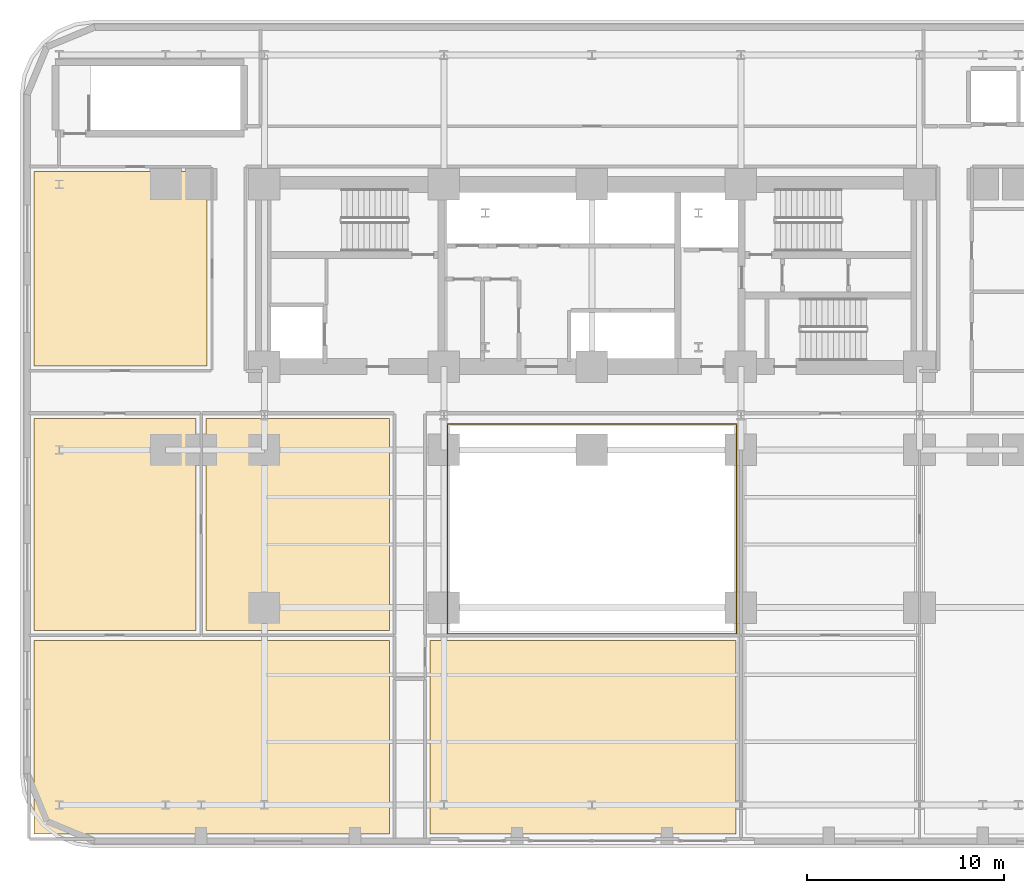
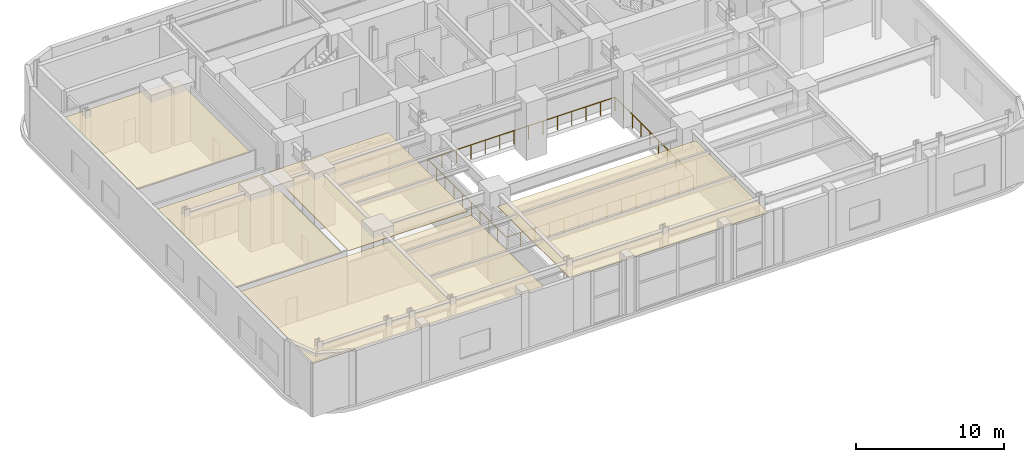
# One storey, part 10 of 15: 5 coverings, 1 railing.
"""IFC4 building model written with IfcOpenShell, lengths in metres."""

from ifc_helpers import new_model, si_unit, direction, frame, origin, origin_2d, place, context, subcontext, project, spatial, polyline, rectangle, outline, extrude, material, layer, layer_set, type_object, element, save


model = new_model("IFC4")

# Units and contexts
model_context = context("Model", 3, precision=1e-05, world=origin(), true_north=direction((0.0, 1.0)))
body_context = subcontext(model_context, "Body", "Model", "MODEL_VIEW")
ifc_project = project(units=[si_unit("LENGTHUNIT", "METRE"), si_unit("AREAUNIT", "SQUARE_METRE"), si_unit("VOLUMEUNIT", "CUBIC_METRE"), si_unit("PLANEANGLEUNIT", "RADIAN"), si_unit("MASSUNIT", "GRAM", prefix="KILO")], contexts=[model_context])

# Site, building, storey
site_placement = place(None, origin())
site = spatial("IfcSite", under=ifc_project, at=site_placement, CompositionType="ELEMENT")
building_placement = place(site_placement, origin())
building = spatial("IfcBuilding", under=site, at=building_placement, Name="Zarnavel Station Tower", CompositionType="ELEMENT")
storey_placement = place(building_placement, frame((0.0, 0.0, 24.199951171875)))
storey = spatial("IfcBuildingStorey", under=building, at=storey_placement, Name="L06", CompositionType="ELEMENT", Elevation=24.199951171875)

# Coverings
ifc_material_1 = material(Name="Perforated Gypsum and Mineral-Wool Acoustic Ceiling", Category="concrete")
ifc_layer = layer(ifc_material_1, 0.0400390625)
ifc_layer_set = layer_set([ifc_layer], Name="COV_CEIL_ACOUSTIC")
covering_type = type_object("IfcCoveringType", Name="COV_CEIL_ACOUSTIC", PredefinedType="CEILING", material=ifc_layer_set)
covering_1_placement = place(storey_placement, frame((0.0, 0.0, 4.16015625)))
element("IfcCovering", 1, at=covering_1_placement, inside=storey, type_object=covering_type, Name="L06 PNW Acoustic Ceiling", PredefinedType="CEILING", context=body_context, shape_type="SweptSolid", body=[
    extrude(outline(polyline([(0.530029296875, 27.85009765625), (9.300048828125, 27.85009765625), (9.300048828125, 37.699951171875), (0.530029296875, 37.699951171875), (0.530029296875, 27.85009765625)])), origin(), (0.0, 0.0, 1.0), 0.039794921875),
])
covering_2_placement = place(storey_placement, frame((0.0, 0.0, 4.16015625)))
element("IfcCovering", 2, at=covering_2_placement, inside=storey, type_object=covering_type, Name="L06 SPA Acoustic Ceiling", PredefinedType="CEILING", context=body_context, shape_type="SweptSolid", body=[
    extrude(outline(polyline([(0.530029296875, 4.1298828125), (18.550048828125, 4.1298828125), (18.550048828125, 13.949951171875), (0.530029296875, 13.949951171875), (0.530029296875, 4.1298828125)])), origin(), (0.0, 0.0, 1.0), 0.039794921875),
])
covering_3_placement = place(storey_placement, frame((0.0, 0.0, 4.16015625)))
element("IfcCovering", 3, at=covering_3_placement, inside=storey, type_object=covering_type, Name="L06 TRMT1 Acoustic Ceiling", PredefinedType="CEILING", context=body_context, shape_type="SweptSolid", body=[
    extrude(outline(polyline([(0.530029296875, 14.449951171875), (8.75, 14.449951171875), (8.75, 25.199951171875), (0.530029296875, 25.199951171875), (0.530029296875, 14.449951171875)])), origin(), (0.0, 0.0, 1.0), 0.039794921875),
])
covering_4_placement = place(storey_placement, frame((0.0, 0.0, 4.16015625)))
element("IfcCovering", 4, at=covering_4_placement, inside=storey, type_object=covering_type, Name="L06 TRMT2 Acoustic Ceiling", PredefinedType="CEILING", context=body_context, shape_type="SweptSolid", body=[
    extrude(outline(polyline([(9.25, 14.449951171875), (18.550048828125, 14.449951171875), (18.550048828125, 25.199951171875), (9.25, 25.199951171875), (9.25, 14.449951171875)])), origin(), (0.0, 0.0, 1.0), 0.039794921875),
])
covering_5_placement = place(storey_placement, frame((0.0, 0.0, 4.16015625)))
element("IfcCovering", 5, at=covering_5_placement, inside=storey, type_object=covering_type, Name="L06 LOUN Acoustic Ceiling", PredefinedType="CEILING", context=body_context, shape_type="SweptSolid", body=[
    extrude(outline(polyline([(20.60009765625, 4.1298828125), (36.10009765625, 4.1298828125), (36.10009765625, 13.949951171875), (20.60009765625, 13.949951171875), (20.60009765625, 4.1298828125)])), origin(), (0.0, 0.0, 1.0), 0.039794921875),
])

# Railing
ifc_material_2 = material(Name="Painted Steel S355J2 Balustrade", Category="steel")
railing_type = type_object("IfcRailingType", Name="GR_INT_1150", PredefinedType="GUARDRAIL", material=ifc_material_2)
railing_placement = place(storey_placement, frame((21.47998046875, 14.280029296875, 0.0)))
element("IfcRailing", 6, at=railing_placement, inside=storey, type_object=railing_type, Name="L06 Atrium Void Guardrail", PredefinedType="GUARDRAIL", context=body_context, shape_type="SweptSolid", body=[
    extrude(rectangle(XDim=0.048095703125, YDim=0.048095703125, at=origin_2d()), frame((0.001953125, 0.0, 1.1259765625), z_axis=(1.0, 0.0, 0.0), x_axis=(0.0, 1.0, 0.0)), (0.0, 0.0, 1.0), 14.63623046875),
    extrude(rectangle(XDim=0.048095703125, YDim=0.048095703125, at=origin_2d()), frame((14.64013671875, 0.001953125, 1.1259765625), z_axis=(0.0, 1.0, 0.0), x_axis=(-1.0, 0.0, 0.0)), (0.0, 0.0, 1.0), 10.635986328125),
    extrude(rectangle(XDim=0.048095703125, YDim=0.048095703125, at=origin_2d()), frame((14.63818359375, 10.639892578125, 1.1259765625), z_axis=(-1.0, 0.0, 0.0), x_axis=(0.0, -1.0, 0.0)), (0.0, 0.0, 1.0), 14.63623046875),
    extrude(rectangle(XDim=0.048095703125, YDim=0.048095703125, at=origin_2d()), frame((0.0, 10.637939453125, 1.1259765625), z_axis=(0.0, -1.0, 0.0), x_axis=(1.0, 0.0, 0.0)), (0.0, 0.0, 1.0), 10.635986328125),
    extrude(rectangle(XDim=0.0419921875, YDim=0.0419921875, at=origin_2d()), origin(), (0.0, 0.0, 1.0), 1.101806640625),
    extrude(rectangle(XDim=0.0419921875, YDim=0.0419921875, at=origin_2d()), frame((1.126220703125, 0.0, 0.0)), (0.0, 0.0, 1.0), 1.101806640625),
    extrude(rectangle(XDim=0.0419921875, YDim=0.0419921875, at=origin_2d()), frame((2.25244140625, 0.0, 0.0)), (0.0, 0.0, 1.0), 1.101806640625),
    extrude(rectangle(XDim=0.0419921875, YDim=0.0419921875, at=origin_2d()), frame((3.37841796875, 0.0, 0.0)), (0.0, 0.0, 1.0), 1.101806640625),
    extrude(rectangle(XDim=0.0419921875, YDim=0.0419921875, at=origin_2d()), frame((4.504638671875, 0.0, 0.0)), (0.0, 0.0, 1.0), 1.101806640625),
    extrude(rectangle(XDim=0.0419921875, YDim=0.0419921875, at=origin_2d()), frame((5.630859375, 0.0, 0.0)), (0.0, 0.0, 1.0), 1.101806640625),
    extrude(rectangle(XDim=0.0419921875, YDim=0.0419921875, at=origin_2d()), frame((6.757080078125, 0.0, 0.0)), (0.0, 0.0, 1.0), 1.101806640625),
    extrude(rectangle(XDim=0.0419921875, YDim=0.0419921875, at=origin_2d()), frame((7.883056640625, 0.0, 0.0)), (0.0, 0.0, 1.0), 1.101806640625),
    extrude(rectangle(XDim=0.0419921875, YDim=0.0419921875, at=origin_2d()), frame((9.00927734375, 0.0, 0.0)), (0.0, 0.0, 1.0), 1.101806640625),
    extrude(rectangle(XDim=0.0419921875, YDim=0.0419921875, at=origin_2d()), frame((10.135498046875, 0.0, 0.0)), (0.0, 0.0, 1.0), 1.101806640625),
    extrude(rectangle(XDim=0.0419921875, YDim=0.0419921875, at=origin_2d()), frame((11.26171875, 0.0, 0.0)), (0.0, 0.0, 1.0), 1.101806640625),
    extrude(rectangle(XDim=0.0419921875, YDim=0.0419921875, at=origin_2d()), frame((12.3876953125, 0.0, 0.0)), (0.0, 0.0, 1.0), 1.101806640625),
    extrude(rectangle(XDim=0.0419921875, YDim=0.0419921875, at=origin_2d()), frame((13.513916015625, 0.0, 0.0)), (0.0, 0.0, 1.0), 1.101806640625),
    extrude(rectangle(XDim=0.0419921875, YDim=0.0419921875, at=origin_2d()), frame((14.64013671875, 0.0, 0.0)), (0.0, 0.0, 1.0), 1.101806640625),
    extrude(rectangle(XDim=0.0419921875, YDim=0.0419921875, at=origin_2d()), frame((14.64013671875, 1.18212890625, 0.0)), (0.0, 0.0, 1.0), 1.101806640625),
    extrude(rectangle(XDim=0.0419921875, YDim=0.0419921875, at=origin_2d()), frame((14.64013671875, 2.364501953125, 0.0)), (0.0, 0.0, 1.0), 1.101806640625),
    extrude(rectangle(XDim=0.0419921875, YDim=0.0419921875, at=origin_2d()), frame((14.64013671875, 3.546630859375, 0.0)), (0.0, 0.0, 1.0), 1.101806640625),
    extrude(rectangle(XDim=0.0419921875, YDim=0.0419921875, at=origin_2d()), frame((14.64013671875, 4.728759765625, 0.0)), (0.0, 0.0, 1.0), 1.101806640625),
    extrude(rectangle(XDim=0.0419921875, YDim=0.0419921875, at=origin_2d()), frame((14.64013671875, 5.9111328125, 0.0)), (0.0, 0.0, 1.0), 1.101806640625),
    extrude(rectangle(XDim=0.0419921875, YDim=0.0419921875, at=origin_2d()), frame((14.64013671875, 7.09326171875, 0.0)), (0.0, 0.0, 1.0), 1.101806640625),
    extrude(rectangle(XDim=0.0419921875, YDim=0.0419921875, at=origin_2d()), frame((14.64013671875, 8.275390625, 0.0)), (0.0, 0.0, 1.0), 1.101806640625),
    extrude(rectangle(XDim=0.0419921875, YDim=0.0419921875, at=origin_2d()), frame((14.64013671875, 9.457763671875, 0.0)), (0.0, 0.0, 1.0), 1.101806640625),
    extrude(rectangle(XDim=0.0419921875, YDim=0.0419921875, at=origin_2d()), frame((14.64013671875, 10.639892578125, 0.0)), (0.0, 0.0, 1.0), 1.101806640625),
    extrude(rectangle(XDim=0.0419921875, YDim=0.0419921875, at=origin_2d()), frame((13.513916015625, 10.639892578125, 0.0)), (0.0, 0.0, 1.0), 1.101806640625),
    extrude(rectangle(XDim=0.0419921875, YDim=0.0419921875, at=origin_2d()), frame((12.3876953125, 10.639892578125, 0.0)), (0.0, 0.0, 1.0), 1.101806640625),
    extrude(rectangle(XDim=0.0419921875, YDim=0.0419921875, at=origin_2d()), frame((11.26171875, 10.639892578125, 0.0)), (0.0, 0.0, 1.0), 1.101806640625),
    extrude(rectangle(XDim=0.0419921875, YDim=0.0419921875, at=origin_2d()), frame((10.135498046875, 10.639892578125, 0.0)), (0.0, 0.0, 1.0), 1.101806640625),
    extrude(rectangle(XDim=0.0419921875, YDim=0.0419921875, at=origin_2d()), frame((9.00927734375, 10.639892578125, 0.0)), (0.0, 0.0, 1.0), 1.101806640625),
    extrude(rectangle(XDim=0.0419921875, YDim=0.0419921875, at=origin_2d()), frame((7.883056640625, 10.639892578125, 0.0)), (0.0, 0.0, 1.0), 1.101806640625),
    extrude(rectangle(XDim=0.0419921875, YDim=0.0419921875, at=origin_2d()), frame((6.757080078125, 10.639892578125, 0.0)), (0.0, 0.0, 1.0), 1.101806640625),
    extrude(rectangle(XDim=0.0419921875, YDim=0.0419921875, at=origin_2d()), frame((5.630859375, 10.639892578125, 0.0)), (0.0, 0.0, 1.0), 1.101806640625),
    extrude(rectangle(XDim=0.0419921875, YDim=0.0419921875, at=origin_2d()), frame((4.504638671875, 10.639892578125, 0.0)), (0.0, 0.0, 1.0), 1.101806640625),
    extrude(rectangle(XDim=0.0419921875, YDim=0.0419921875, at=origin_2d()), frame((3.37841796875, 10.639892578125, 0.0)), (0.0, 0.0, 1.0), 1.101806640625),
    extrude(rectangle(XDim=0.0419921875, YDim=0.0419921875, at=origin_2d()), frame((2.25244140625, 10.639892578125, 0.0)), (0.0, 0.0, 1.0), 1.101806640625),
    extrude(rectangle(XDim=0.0419921875, YDim=0.0419921875, at=origin_2d()), frame((1.126220703125, 10.639892578125, 0.0)), (0.0, 0.0, 1.0), 1.101806640625),
    extrude(rectangle(XDim=0.0419921875, YDim=0.0419921875, at=origin_2d()), frame((0.0, 10.639892578125, 0.0)), (0.0, 0.0, 1.0), 1.101806640625),
    extrude(rectangle(XDim=0.0419921875, YDim=0.0419921875, at=origin_2d()), frame((0.0, 9.457763671875, 0.0)), (0.0, 0.0, 1.0), 1.101806640625),
    extrude(rectangle(XDim=0.0419921875, YDim=0.0419921875, at=origin_2d()), frame((0.0, 8.275390625, 0.0)), (0.0, 0.0, 1.0), 1.101806640625),
    extrude(rectangle(XDim=0.0419921875, YDim=0.0419921875, at=origin_2d()), frame((0.0, 7.09326171875, 0.0)), (0.0, 0.0, 1.0), 1.101806640625),
    extrude(rectangle(XDim=0.0419921875, YDim=0.0419921875, at=origin_2d()), frame((0.0, 5.9111328125, 0.0)), (0.0, 0.0, 1.0), 1.101806640625),
    extrude(rectangle(XDim=0.0419921875, YDim=0.0419921875, at=origin_2d()), frame((0.0, 4.728759765625, 0.0)), (0.0, 0.0, 1.0), 1.101806640625),
    extrude(rectangle(XDim=0.0419921875, YDim=0.0419921875, at=origin_2d()), frame((0.0, 3.546630859375, 0.0)), (0.0, 0.0, 1.0), 1.101806640625),
    extrude(rectangle(XDim=0.0419921875, YDim=0.0419921875, at=origin_2d()), frame((0.0, 2.364501953125, 0.0)), (0.0, 0.0, 1.0), 1.101806640625),
    extrude(rectangle(XDim=0.0419921875, YDim=0.0419921875, at=origin_2d()), frame((0.0, 1.18212890625, 0.0)), (0.0, 0.0, 1.0), 1.101806640625),
])

save(model, "model.ifc")
